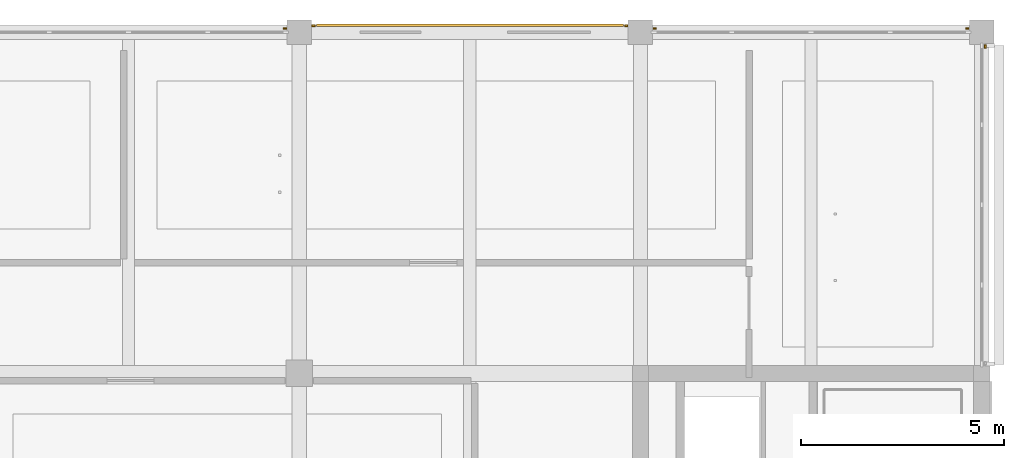
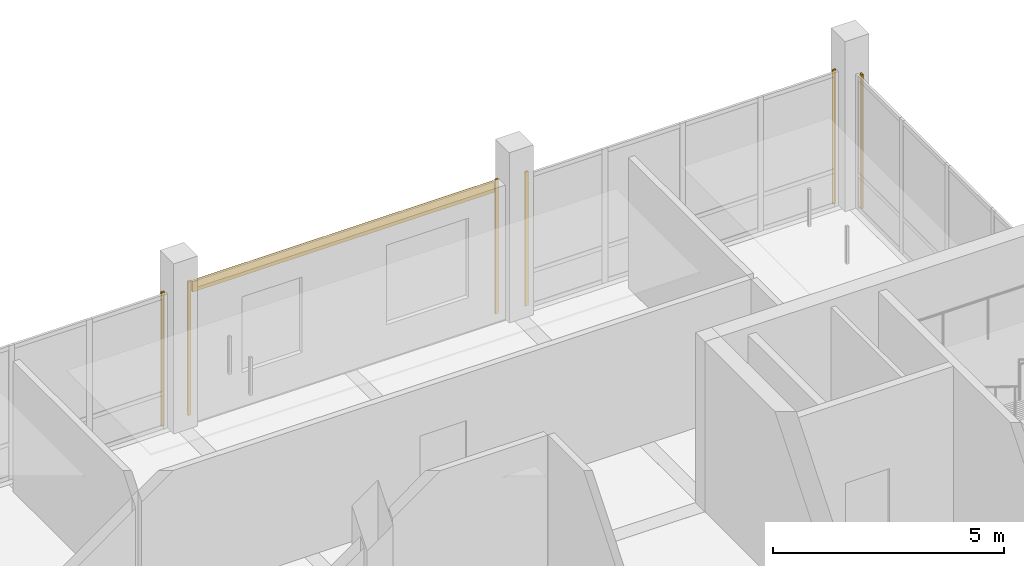
# One storey, part 30 of 30: 7 coverings.
"""IFC4 building model written with IfcOpenShell, lengths in metres."""

from ifc_helpers import new_model, si_unit, direction, frame, origin, origin_2d, place, context, subcontext, project, spatial, rectangle, extrude, material, layer, layer_set, type_object, element, save


model = new_model("IFC4")

# Units and contexts
model_context = context("Model", 3, precision=1e-05, world=origin(), true_north=direction((0.0, 1.0)))
body_context = subcontext(model_context, "Body", "Model", "MODEL_VIEW")
ifc_project = project(units=[si_unit("LENGTHUNIT", "METRE"), si_unit("AREAUNIT", "SQUARE_METRE"), si_unit("VOLUMEUNIT", "CUBIC_METRE"), si_unit("PLANEANGLEUNIT", "RADIAN"), si_unit("MASSUNIT", "GRAM", prefix="KILO")], contexts=[model_context])

# Site, building, storey
site_placement = place(None, origin())
site = spatial("IfcSite", under=ifc_project, at=site_placement, CompositionType="ELEMENT")
building_placement = place(site_placement, origin())
building = spatial("IfcBuilding", under=site, at=building_placement, Name="Telukmera Botanical Conservatory", CompositionType="ELEMENT")
storey_placement = place(building_placement, frame((0.0, 0.0, 60.0)))
storey = spatial("IfcBuildingStorey", under=building, at=storey_placement, Name="L13", CompositionType="ELEMENT", Elevation=60.0)

# Coverings
ifc_material_1 = material(Name="Granite-faced precast concrete C40/50", Category="masonry")
ifc_layer_1 = layer(ifc_material_1, 0.0400390625)
ifc_layer_set_1 = layer_set([ifc_layer_1], Name="Granite-faced precast concrete C40/50")
covering_type_1 = type_object("IfcCoveringType", Name="Granite Precast Column Pier Reveal Casing", PredefinedType="CLADDING", material=ifc_layer_set_1)
for number, where, z_axis, x_axis, name in (
    (1, (83.64794921875, 42.889892578125, 0.0), (0.0, 0.0, 1.0), (1.0, 0.0, 0.0), "Granite Pier Reveal V4:L13:N3 R"),
    (2, (84.35205078125, 42.9599609375, 0.0), (0.0, 0.0, 1.0), (1.0, 0.0, 0.0), "Granite Pier Reveal V4:L13:N4 L"),
    (3, (92.048095703125, 42.9599609375, 0.0), (0.0, 0.0, 1.0), (1.0, 0.0, 0.0), "Granite Pier Reveal V4:L13:N4 R"),
    (4, (92.751953125, 42.889892578125, 0.0), (0.0, 0.0, 1.0), (1.0, 0.0, 0.0), "Granite Pier Reveal V4:L13:N5 L"),
    (5, (100.447998046875, 42.889892578125, 0.0), (0.0, 0.0, 1.0), (1.0, 0.0, 0.0), "Granite Pier Reveal V4:L13:N5 R"),
    (6, (100.889892578125, 42.447998046875, 0.0), (0.0, 0.0, 1.0), (0.0, 1.0, 0.0), "Granite Pier Reveal V4:L13:E4 R"),
):
    element("IfcCovering", number, at=place(storey_placement, frame(where, z_axis=z_axis, x_axis=x_axis)), inside=storey, type_object=covering_type_1, Name=name, PredefinedType="CLADDING", context=body_context, shape_type="SweptSolid", body=[
        extrude(rectangle(XDim=0.080078125, YDim=0.0400390625, at=origin_2d()), origin(), (0.0, 0.0, 1.0), 3.550048828125),
    ])
ifc_material_2 = material(Name="Terracotta-faced precast concrete C40/50", Category="masonry")
ifc_layer_2 = layer(ifc_material_2, 0.06005859375)
ifc_layer_set_2 = layer_set([ifc_layer_2], Name="Terracotta-faced precast concrete C40/50")
covering_type_2 = type_object("IfcCoveringType", Name="Polychrome Terracotta Facade Band Cladding", PredefinedType="CLADDING", material=ifc_layer_set_2)
covering_placement = place(storey_placement, frame((88.199951171875, 42.969970703125, 3.22998046875), z_axis=(0.0, 0.0, 1.0), x_axis=(1.0, 0.0, 0.0)))
element("IfcCovering", 7, at=covering_placement, inside=storey, type_object=covering_type_2, Name="Polychrome Terracotta Band V4:L13:N4", PredefinedType="CLADDING", context=body_context, shape_type="SweptSolid", body=[
    extrude(rectangle(XDim=7.555908203125, YDim=0.06005859375, at=origin_2d()), origin(), (0.0, 0.0, 1.0), 0.280029296875),
])

save(model, "model.ifc")
